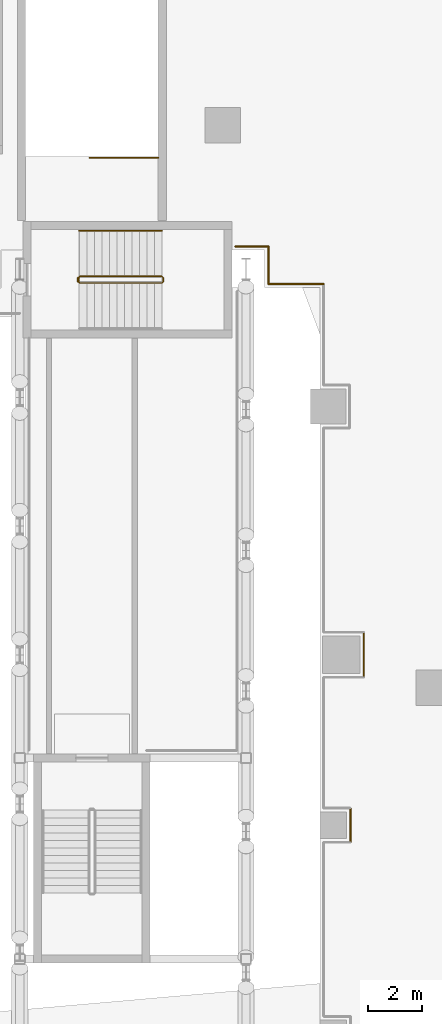
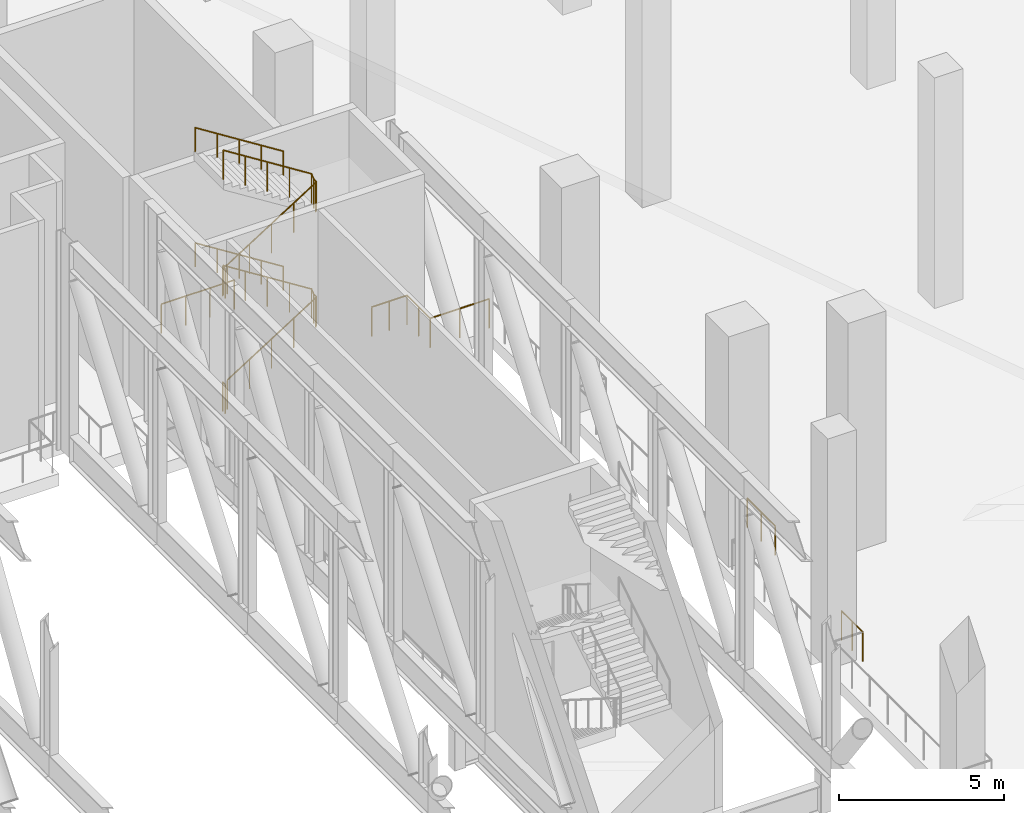
# One storey, part 29 of 33: 10 railings.
"""IFC4 building model written with IfcOpenShell, lengths in metres."""

from ifc_helpers import new_model, si_unit, direction, frame, origin, origin_2d, place, context, subcontext, project, spatial, circle, extrude, material, type_object, element, save


model = new_model("IFC4")

# Units and contexts
model_context = context("Model", 3, precision=1e-05, world=origin(), true_north=direction((0.0, 1.0)))
body_context = subcontext(model_context, "Body", "Model", "MODEL_VIEW")
ifc_project = project(units=[si_unit("LENGTHUNIT", "METRE"), si_unit("AREAUNIT", "SQUARE_METRE"), si_unit("VOLUMEUNIT", "CUBIC_METRE"), si_unit("PLANEANGLEUNIT", "RADIAN"), si_unit("MASSUNIT", "GRAM", prefix="KILO")], contexts=[model_context])

# Site, building, storey
site_placement = place(None, origin())
site = spatial("IfcSite", under=ifc_project, at=site_placement, CompositionType="ELEMENT")
building_placement = place(site_placement, origin())
building = spatial("IfcBuilding", under=site, at=building_placement, Name="Wharfspan Tower", CompositionType="ELEMENT")
storey_placement = place(building_placement, frame((0.0, 0.0, 33.0)))
storey = spatial("IfcBuildingStorey", under=building, at=storey_placement, Name="L05", CompositionType="ELEMENT", Elevation=33.0)

# Railings
ifc_material = material(Name="Steel S355J2", Category="steel")
railing_type_1 = type_object("IfcRailingType", Name="GUARD 1100 STEEL AND GLASS", PredefinedType="GUARDRAIL", material=ifc_material)
railing_1_placement = place(storey_placement, frame((84.340088, 4.5, 0.0)))
element("IfcRailing", 1, at=railing_1_placement, inside=storey, type_object=railing_type_1, Name="Guard on the deck edge", PredefinedType="GUARDRAIL", context=body_context, shape_type="SweptSolid", body=[
    extrude(circle(Radius=0.024902, at=origin_2d()), frame((0.0, 0.0, 1.075195), z_axis=(0.0, 1.0, 0.0), x_axis=(-1.0, 0.0, 0.0)), (0.0, 0.0, 1.0), 1.280029),
    extrude(circle(Radius=0.02002, at=origin_2d()), origin(), (0.0, 0.0, 1.0), 1.050049),
    extrude(circle(Radius=0.02002, at=origin_2d()), frame((0.0, 0.640137, 0.0)), (0.0, 0.0, 1.0), 1.050049),
    extrude(circle(Radius=0.02002, at=origin_2d()), frame((0.0, 1.280029, 0.0)), (0.0, 0.0, 1.0), 1.050049),
])
railing_2_placement = place(storey_placement, frame((84.840088, 10.659912, 0.0)))
element("IfcRailing", 2, at=railing_2_placement, inside=storey, type_object=railing_type_1, Name="Guard on the deck edge", PredefinedType="GUARDRAIL", context=body_context, shape_type="SweptSolid", body=[
    extrude(circle(Radius=0.024902, at=origin_2d()), frame((0.0, 0.0, 1.075195), z_axis=(0.0, 1.0, 0.0), x_axis=(-1.0, 0.0, 0.0)), (0.0, 0.0, 1.0), 1.680176),
    extrude(circle(Radius=0.02002, at=origin_2d()), origin(), (0.0, 0.0, 1.0), 1.050049),
    extrude(circle(Radius=0.02002, at=origin_2d()), frame((0.0, 0.840088, 0.0)), (0.0, 0.0, 1.0), 1.050049),
    extrude(circle(Radius=0.02002, at=origin_2d()), frame((0.0, 1.680176, 0.0)), (0.0, 0.0, 1.0), 1.050049),
])
railing_3_placement = place(storey_placement, frame((83.340088, 25.340088, 0.0)))
element("IfcRailing", 3, at=railing_3_placement, inside=storey, type_object=railing_type_1, Name="Guard on the deck edge", PredefinedType="GUARDRAIL", context=body_context, shape_type="SweptSolid", body=[
    extrude(circle(Radius=0.024902, at=origin_2d()), frame((0.0, 0.0, 1.075195), z_axis=(-1.0, 0.0, 0.0), x_axis=(0.0, -1.0, 0.0)), (0.0, 0.0, 1.0), 2.058105),
    extrude(circle(Radius=0.02002, at=origin_2d()), origin(), (0.0, 0.0, 1.0), 1.050049),
    extrude(circle(Radius=0.02002, at=origin_2d()), frame((-1.029053, 0.0, 0.0)), (0.0, 0.0, 1.0), 1.050049),
    extrude(circle(Radius=0.02002, at=origin_2d()), frame((-2.058105, 0.0, 0.0)), (0.0, 0.0, 1.0), 1.050049),
])
railing_4_placement = place(storey_placement, frame((81.281982, 25.340088, 0.0)))
element("IfcRailing", 4, at=railing_4_placement, inside=storey, type_object=railing_type_1, Name="Guard on the deck edge", PredefinedType="GUARDRAIL", context=body_context, shape_type="SweptSolid", body=[
    extrude(circle(Radius=0.024902, at=origin_2d()), frame((0.0, 0.0, 1.075195), z_axis=(0.0, 1.0, 0.0), x_axis=(-1.0, 0.0, 0.0)), (0.0, 0.0, 1.0), 1.399902),
    extrude(circle(Radius=0.02002, at=origin_2d()), origin(), (0.0, 0.0, 1.0), 1.050049),
    extrude(circle(Radius=0.02002, at=origin_2d()), frame((0.0, 0.699951, 0.0)), (0.0, 0.0, 1.0), 1.050049),
    extrude(circle(Radius=0.02002, at=origin_2d()), frame((0.0, 1.399902, 0.0)), (0.0, 0.0, 1.0), 1.050049),
])
railing_5_placement = place(storey_placement, frame((81.281982, 26.73999, 0.0)))
element("IfcRailing", 5, at=railing_5_placement, inside=storey, type_object=railing_type_1, Name="Guard on the deck edge", PredefinedType="GUARDRAIL", context=body_context, shape_type="SweptSolid", body=[
    extrude(circle(Radius=0.024902, at=origin_2d()), frame((0.0, 0.0, 1.075195), z_axis=(-1.0, 0.0, 0.0), x_axis=(0.0, -1.0, 0.0)), (0.0, 0.0, 1.0), 1.237061),
    extrude(circle(Radius=0.02002, at=origin_2d()), origin(), (0.0, 0.0, 1.0), 1.050049),
    extrude(circle(Radius=0.02002, at=origin_2d()), frame((-0.618652, 0.0, 0.0)), (0.0, 0.0, 1.0), 1.050049),
    extrude(circle(Radius=0.02002, at=origin_2d()), frame((-1.237061, 0.0, 0.0)), (0.0, 0.0, 1.0), 1.050049),
])
railing_type_2 = type_object("IfcRailingType", Name="Podium guard 1100", PredefinedType="GUARDRAIL", material=ifc_material)
railing_6_placement = place(storey_placement, frame((77.16748, 30.050049, 0.0)))
element("IfcRailing", 6, at=railing_6_placement, inside=storey, type_object=railing_type_2, Name="L05 PS5 top well guard 1", PredefinedType="GUARDRAIL", context=body_context, shape_type="SweptSolid", body=[
    extrude(circle(Radius=0.023926, at=origin_2d()), frame((0.0, 0.0, 1.076172), z_axis=(-1.0, 0.0, 0.0), x_axis=(0.0, -1.0, 0.0)), (0.0, 0.0, 1.0), 2.550049),
    extrude(circle(Radius=0.020996, at=origin_2d()), origin(), (0.0, 0.0, 1.0), 1.052002),
    extrude(circle(Radius=0.020996, at=origin_2d()), frame((-0.850098, 0.0, 0.0)), (0.0, 0.0, 1.0), 1.052002),
    extrude(circle(Radius=0.020996, at=origin_2d()), frame((-1.699951, 0.0, 0.0)), (0.0, 0.0, 1.0), 1.052002),
    extrude(circle(Radius=0.020996, at=origin_2d()), frame((-2.550049, 0.0, 0.0)), (0.0, 0.0, 1.0), 1.052002),
])
railing_type_3 = type_object("IfcRailingType", Name="Stair guard 1100", PredefinedType="GUARDRAIL", material=ifc_material)
railing_7_placement = place(storey_placement, frame((74.225098, 25.375, 0.177002)))
element("IfcRailing", 7, at=railing_7_placement, inside=storey, type_object=railing_type_3, Name="L05 ST6 stair guard 1", PredefinedType="GUARDRAIL", context=body_context, shape_type="SweptSolid", body=[
    extrude(circle(Radius=0.023926, at=origin_2d()), frame((0.0, 0.0, 1.076172), z_axis=(0.845137, 0.0, 0.53455), x_axis=(0.0, 1.0, 0.0)), (0.0, 0.0, 1.0), 3.644287),
    extrude(circle(Radius=0.023926, at=origin_2d()), frame((3.079834, 0.0, 3.023926), z_axis=(0.707107, 0.707107, 0.0), x_axis=(-0.707107, 0.707107, 0.0)), (0.0, 0.0, 1.0), 0.070801),
    extrude(circle(Radius=0.023926, at=origin_2d()), frame((3.129883, 0.050049, 3.023926), z_axis=(0.0, 1.0, 0.0), x_axis=(-1.0, 0.0, 0.0)), (0.0, 0.0, 1.0), 0.149902),
    extrude(circle(Radius=0.023926, at=origin_2d()), frame((3.129883, 0.199951, 3.023926), z_axis=(-0.262546, 0.262546, 0.928515), x_axis=(-0.707107, -0.707107, 0.0)), (0.0, 0.0, 1.0), 0.190674),
    extrude(circle(Radius=0.023926, at=origin_2d()), frame((3.079834, 0.25, 3.201172), z_axis=(-0.845137, 0.0, 0.53455), x_axis=(0.0, -1.0, 0.0)), (0.0, 0.0, 1.0), 3.644287),
    extrude(circle(Radius=0.023926, at=origin_2d()), frame((0.0, 0.25, 5.148926), z_axis=(-0.242814, -0.970073, 0.0), x_axis=(0.970073, -0.242814, 0.0)), (0.0, 0.0, 1.0), 0.206055),
    extrude(circle(Radius=0.023926, at=origin_2d()), frame((-0.050049, 0.050049, 5.148926), z_axis=(0.0, 1.0, 0.0), x_axis=(-1.0, 0.0, 0.0)), (0.0, 0.0, 1.0), 0.149902),
    extrude(circle(Radius=0.023926, at=origin_2d()), frame((-0.050049, 0.199951, 5.148926), z_axis=(0.184214, -0.735955, 0.651487), x_axis=(0.970075, 0.242813, -3e-06)), (0.0, 0.0, 1.0), 0.271729),
    extrude(circle(Radius=0.023926, at=origin_2d()), frame((0.0, 0.0, 5.326172), z_axis=(0.845137, 0.0, 0.53455), x_axis=(0.0, 1.0, 0.0)), (0.0, 0.0, 1.0), 3.644287),
    extrude(circle(Radius=0.023926, at=origin_2d()), frame((3.079834, 0.0, 7.273926), z_axis=(0.707107, 0.707107, 0.0), x_axis=(-0.707107, 0.707107, 0.0)), (0.0, 0.0, 1.0), 0.070801),
    extrude(circle(Radius=0.023926, at=origin_2d()), frame((3.129883, 0.050049, 7.273926), z_axis=(0.0, 1.0, 0.0), x_axis=(-1.0, 0.0, 0.0)), (0.0, 0.0, 1.0), 0.149902),
    extrude(circle(Radius=0.023926, at=origin_2d()), frame((3.129883, 0.199951, 7.273926), z_axis=(-0.262546, 0.262546, 0.928515), x_axis=(-0.707107, -0.707107, 0.0)), (0.0, 0.0, 1.0), 0.190674),
    extrude(circle(Radius=0.023926, at=origin_2d()), frame((3.079834, 0.25, 7.451172), z_axis=(-0.845137, 0.0, 0.53455), x_axis=(0.0, -1.0, 0.0)), (0.0, 0.0, 1.0), 3.644287),
    extrude(circle(Radius=0.020996, at=origin_2d()), origin(), (0.0, 0.0, 1.0), 1.052002),
    extrude(circle(Radius=0.020996, at=origin_2d()), frame((0.77002, 0.0, 0.487061)), (0.0, 0.0, 1.0), 1.052002),
    extrude(circle(Radius=0.020996, at=origin_2d()), frame((1.540039, 0.0, 0.974121)), (0.0, 0.0, 1.0), 1.052002),
    extrude(circle(Radius=0.020996, at=origin_2d()), frame((2.309814, 0.0, 1.460938)), (0.0, 0.0, 1.0), 1.052002),
    extrude(circle(Radius=0.020996, at=origin_2d()), frame((3.079834, 0.0, 1.947998)), (0.0, 0.0, 1.0), 1.052002),
    extrude(circle(Radius=0.020996, at=origin_2d()), frame((3.129883, 0.050049, 1.947998)), (0.0, 0.0, 1.0), 1.052002),
    extrude(circle(Radius=0.020996, at=origin_2d()), frame((3.129883, 0.199951, 1.947998)), (0.0, 0.0, 1.0), 1.052002),
    extrude(circle(Radius=0.020996, at=origin_2d()), frame((3.079834, 0.25, 2.125)), (0.0, 0.0, 1.0), 1.052002),
    extrude(circle(Radius=0.020996, at=origin_2d()), frame((2.309814, 0.25, 2.612061)), (0.0, 0.0, 1.0), 1.052002),
    extrude(circle(Radius=0.020996, at=origin_2d()), frame((1.540039, 0.25, 3.099121)), (0.0, 0.0, 1.0), 1.052002),
    extrude(circle(Radius=0.020996, at=origin_2d()), frame((0.77002, 0.25, 3.585938)), (0.0, 0.0, 1.0), 1.052002),
    extrude(circle(Radius=0.020996, at=origin_2d()), frame((0.0, 0.25, 4.072998)), (0.0, 0.0, 1.0), 1.052002),
    extrude(circle(Radius=0.020996, at=origin_2d()), frame((-0.050049, 0.050049, 4.072998)), (0.0, 0.0, 1.0), 1.052002),
    extrude(circle(Radius=0.020996, at=origin_2d()), frame((-0.050049, 0.199951, 4.072998)), (0.0, 0.0, 1.0), 1.052002),
    extrude(circle(Radius=0.020996, at=origin_2d()), frame((0.0, 0.0, 4.25)), (0.0, 0.0, 1.0), 1.052002),
    extrude(circle(Radius=0.020996, at=origin_2d()), frame((0.77002, 0.0, 4.737061)), (0.0, 0.0, 1.0), 1.052002),
    extrude(circle(Radius=0.020996, at=origin_2d()), frame((1.540039, 0.0, 5.224121)), (0.0, 0.0, 1.0), 1.052002),
    extrude(circle(Radius=0.020996, at=origin_2d()), frame((2.309814, 0.0, 5.710938)), (0.0, 0.0, 1.0), 1.052002),
    extrude(circle(Radius=0.020996, at=origin_2d()), frame((3.079834, 0.0, 6.197998)), (0.0, 0.0, 1.0), 1.052002),
    extrude(circle(Radius=0.020996, at=origin_2d()), frame((3.129883, 0.050049, 6.197998)), (0.0, 0.0, 1.0), 1.052002),
    extrude(circle(Radius=0.020996, at=origin_2d()), frame((3.129883, 0.199951, 6.197998)), (0.0, 0.0, 1.0), 1.052002),
    extrude(circle(Radius=0.020996, at=origin_2d()), frame((3.079834, 0.25, 6.375)), (0.0, 0.0, 1.0), 1.052002),
    extrude(circle(Radius=0.020996, at=origin_2d()), frame((2.309814, 0.25, 6.862061)), (0.0, 0.0, 1.0), 1.052002),
    extrude(circle(Radius=0.020996, at=origin_2d()), frame((1.540039, 0.25, 7.349121)), (0.0, 0.0, 1.0), 1.052002),
    extrude(circle(Radius=0.020996, at=origin_2d()), frame((0.77002, 0.25, 7.835938)), (0.0, 0.0, 1.0), 1.052002),
    extrude(circle(Radius=0.020996, at=origin_2d()), frame((0.0, 0.25, 8.322998)), (0.0, 0.0, 1.0), 1.052002),
])
railing_8_placement = place(storey_placement, frame((74.175049, 25.425049, 0.0)))
element("IfcRailing", 8, at=railing_8_placement, inside=storey, type_object=railing_type_3, Name="L05 ST6 stair guard 2", PredefinedType="GUARDRAIL", context=body_context, shape_type="SweptSolid", body=[
    extrude(circle(Radius=0.023926, at=origin_2d()), frame((0.0, 0.0, 1.076172), z_axis=(0.0, 1.0, 0.0), x_axis=(-1.0, 0.0, 0.0)), (0.0, 0.0, 1.0), 0.149902),
    extrude(circle(Radius=0.020996, at=origin_2d()), origin(), (0.0, 0.0, 1.0), 1.052002),
    extrude(circle(Radius=0.020996, at=origin_2d()), frame((0.0, 0.149902, 0.0)), (0.0, 0.0, 1.0), 1.052002),
])
railing_type_4 = type_object("IfcRailingType", Name="Stair handrail 900", PredefinedType="HANDRAIL", material=ifc_material)
for number, where, name in (
    (9, (77.304932, 27.324951, 2.302002), "L05 ST6 stair handrail 2"),
    (10, (77.304932, 27.324951, 6.552002), "L05 ST6 stair handrail 4"),
):
    element("IfcRailing", number, at=place(storey_placement, frame(where)), inside=storey, type_object=railing_type_4, Name=name, PredefinedType="HANDRAIL", context=body_context, shape_type="SweptSolid", body=[
        extrude(circle(Radius=0.023926, at=origin_2d()), frame((0.0, 0.0, 0.875977), z_axis=(-0.845137, 0.0, 0.53455), x_axis=(0.0, -1.0, 0.0)), (0.0, 0.0, 1.0), 3.644287),
        extrude(circle(Radius=0.020996, at=origin_2d()), origin(), (0.0, 0.0, 1.0), 0.851807),
        extrude(circle(Radius=0.020996, at=origin_2d()), frame((-0.77002, 0.0, 0.487061)), (0.0, 0.0, 1.0), 0.851807),
        extrude(circle(Radius=0.020996, at=origin_2d()), frame((-1.540039, 0.0, 0.974121)), (0.0, 0.0, 1.0), 0.851807),
        extrude(circle(Radius=0.020996, at=origin_2d()), frame((-2.309814, 0.0, 1.460938)), (0.0, 0.0, 1.0), 0.851807),
        extrude(circle(Radius=0.020996, at=origin_2d()), frame((-3.079834, 0.0, 1.947998)), (0.0, 0.0, 1.0), 0.851807),
    ])

save(model, "model.ifc")
